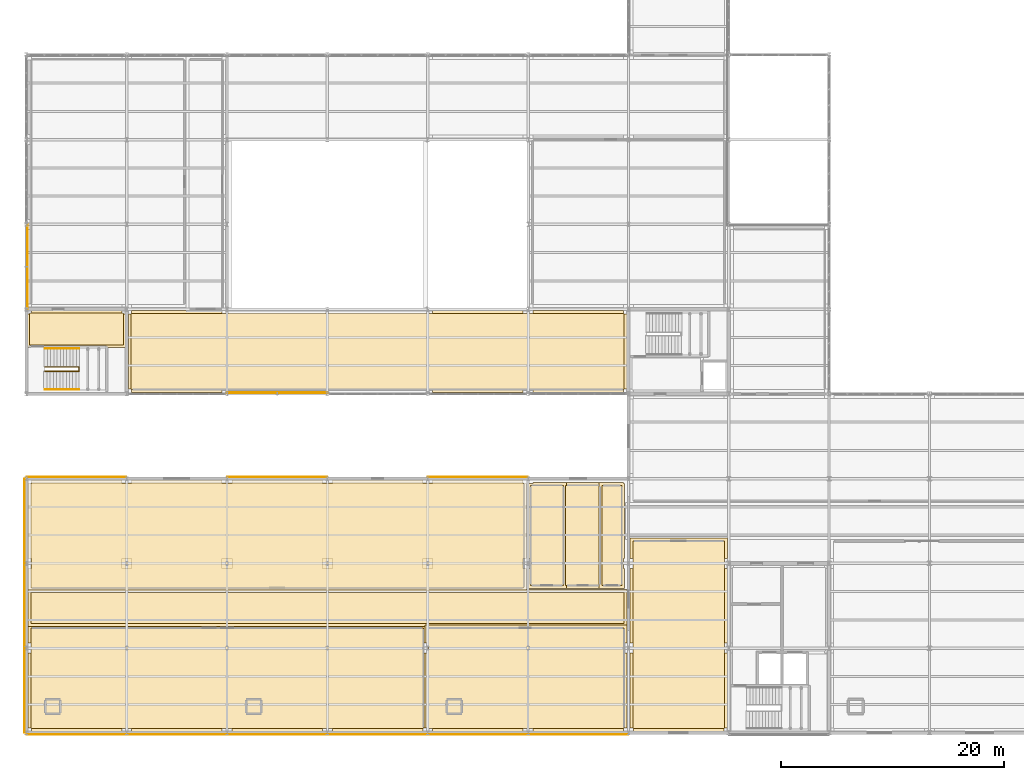
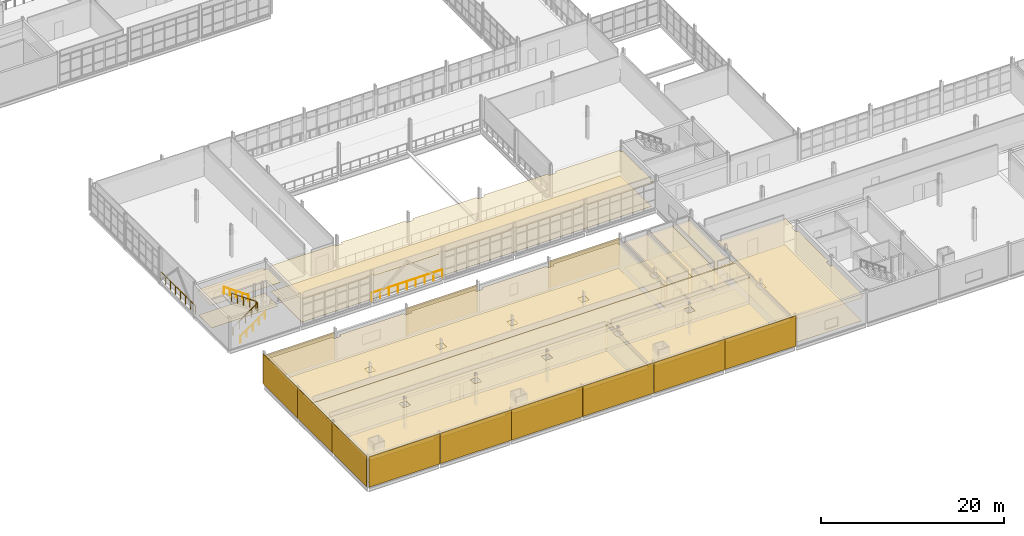
# One storey, part 165 of 174: 32 coverings, 5 railings.
"""IFC4 building model written with IfcOpenShell, lengths in metres."""

import ifcopenshell
import ifcopenshell.guid

model = None  # the IFC model being written
_history = None  # IfcOwnerHistory: only IFC2X3 demands one
_inside = {}  # id of a spatial element -> (the spatial element, [elements in it])
_under = {}  # id of a project, library or spatial element -> (it, [spatial elements below it])
_declared = {}  # id of a project -> (the project, [libraries it declares])
_typed = {}  # id of a type object -> (the type object, [elements of that type])
_made_of = {}  # id of a material, layer set ... -> (it, [elements and type objects made of it])


def new_model(schema):
    """Start an empty IFC model of exactly this schema.

    Asked for "IFC4X3", IfcOpenShell would pick the latest addendum, in which some entities
    have other attributes; the version numbers below select the first issue.
    IFC2X3 requires an IfcOwnerHistory on every rooted entity: one is made here for all.
    """
    global model, _history
    if schema == "IFC4X3":
        model = ifcopenshell.file(schema_version=(4, 3, 0, 0))
    else:
        model = ifcopenshell.file(schema=schema)
    _inside.clear()
    _under.clear()
    _declared.clear()
    _typed.clear()
    _made_of.clear()
    _history = None
    if model.schema == "IFC2X3":
        org = make("IfcOrganization", Name="unknown")
        user = make(
            "IfcPersonAndOrganization",
            ThePerson=make("IfcPerson", FamilyName="unknown"),
            TheOrganization=org,
        )
        app = make(
            "IfcApplication",
            ApplicationDeveloper=org,
            Version="unknown",
            ApplicationFullName="unknown",
            ApplicationIdentifier="unknown",
        )
        _history = make(
            "IfcOwnerHistory",
            OwningUser=user,
            OwningApplication=app,
            ChangeAction="ADDED",
            CreationDate=0,
        )
    return model


def make(cls, **values):
    """One entity of the class cls with the attributes given. An attribute that is None is left unset."""
    return model.create_entity(
        cls, **{name: value for name, value in values.items() if value is not None}
    )


def rooted(cls, **values):
    """An entity with a GlobalId (a new one), such as an element, a storey or a relation."""
    return make(cls, GlobalId=ifcopenshell.guid.new(), OwnerHistory=_history, **values)


def si_unit(unit_type, name, prefix=None):
    """IfcSIUnit, for example si_unit("LENGTHUNIT", "METRE", prefix="MILLI")."""
    return make("IfcSIUnit", UnitType=unit_type, Prefix=prefix, Name=name)


def assignment(units):
    """IfcUnitAssignment: the units of a project."""
    return None if units is None else make("IfcUnitAssignment", Units=units)


def point(xyz):
    """IfcCartesianPoint."""
    return None if xyz is None else make("IfcCartesianPoint", Coordinates=xyz)


def direction(xyz):
    """IfcDirection."""
    return None if xyz is None else make("IfcDirection", DirectionRatios=xyz)


def frame(location, z_axis=None, x_axis=None):
    """IfcAxis2Placement3D, a coordinate frame: its origin and axes. An axis left out is left unset."""
    return make(
        "IfcAxis2Placement3D",
        Location=point(location),
        Axis=direction(z_axis),
        RefDirection=direction(x_axis),
    )


def frame_2d(location, x_axis=None):
    """IfcAxis2Placement2D, a coordinate frame in the plane: its origin and x axis."""
    return make(
        "IfcAxis2Placement2D", Location=point(location), RefDirection=direction(x_axis)
    )


def origin():
    """The frame at (0, 0, 0) with its axes left unset."""
    return frame((0.0, 0.0, 0.0))


def origin_2d():
    """The frame at (0, 0) in the plane with its x axis left unset."""
    return frame_2d((0.0, 0.0))


def place(relative_to, where):
    """IfcLocalPlacement: puts the frame where relative to a parent placement (None: the world)."""
    return make(
        "IfcLocalPlacement", PlacementRelTo=relative_to, RelativePlacement=where
    )


def context(
    kind, dimensions, precision=None, world=None, true_north=None, identifier=None
):
    """IfcGeometricRepresentationContext, for example the 3D "Model" context."""
    return make(
        "IfcGeometricRepresentationContext",
        ContextIdentifier=identifier,
        ContextType=kind,
        CoordinateSpaceDimension=dimensions,
        Precision=precision,
        WorldCoordinateSystem=world,
        TrueNorth=true_north,
    )


def subcontext(parent, identifier, kind, view, scale=None):
    """IfcGeometricRepresentationSubContext, for example "Body" below "Model"."""
    return make(
        "IfcGeometricRepresentationSubContext",
        ContextIdentifier=identifier,
        ContextType=kind,
        ParentContext=parent,
        TargetScale=scale,
        TargetView=view,
    )


def project(units=None, contexts=None):
    """IfcProject with its units and contexts."""
    return rooted(
        "IfcProject",
        Name="project",
        RepresentationContexts=contexts,
        UnitsInContext=assignment(units),
    )


def spatial(cls, under=None, at=None, **own):
    """A site, building, storey or space (cls), placed at a placement, below another one or the project."""
    s = rooted(cls, ObjectPlacement=at, **own)
    if under is not None:
        _under.setdefault(under.id(), (under, []))[1].append(s)
    return s


def polyline(points):
    """IfcPolyline through the points."""
    return make("IfcPolyline", Points=[point(p) for p in points])


def profile(cls, at=None, kind="AREA", **sizes):
    """A parametric profile (cls). Its sizes go by their IFC names, for example OverallWidth=200.0."""
    return make(cls, ProfileType=kind, Position=at, **sizes)


def rectangle(**sizes):
    """IfcRectangleProfileDef."""
    return profile("IfcRectangleProfileDef", **sizes)


def circle(**sizes):
    """IfcCircleProfileDef."""
    return profile("IfcCircleProfileDef", **sizes)


def outline(outer, holes=None, kind="AREA"):
    """IfcArbitraryClosedProfileDef: a profile drawn as a closed curve; with holes, ...WithVoids."""
    if holes is None:
        return make("IfcArbitraryClosedProfileDef", ProfileType=kind, OuterCurve=outer)
    return make(
        "IfcArbitraryProfileDefWithVoids",
        ProfileType=kind,
        OuterCurve=outer,
        InnerCurves=holes,
    )


def extrude(swept, where, along, depth):
    """IfcExtrudedAreaSolid: the profile swept, set in the frame where, extruded along a direction by depth."""
    return make(
        "IfcExtrudedAreaSolid",
        SweptArea=swept,
        Position=where,
        ExtrudedDirection=direction(along),
        Depth=depth,
    )


def shape(context_of_items, identifier, shape_type, items):
    """IfcShapeRepresentation: the items that make up one representation, for example the "Body"."""
    return make(
        "IfcShapeRepresentation",
        ContextOfItems=context_of_items,
        RepresentationIdentifier=identifier,
        RepresentationType=shape_type,
        Items=items,
    )


def material(Name=None, Category=None):
    """IfcMaterial."""
    return make("IfcMaterial", Name=Name, Category=Category)


def layer(
    of_material, thickness, ventilated=None, Name=None, Category=None, Priority=None
):
    """IfcMaterialLayer: one layer of a wall or slab, of a material (None: an air gap)."""
    return make(
        "IfcMaterialLayer",
        Material=of_material,
        LayerThickness=thickness,
        IsVentilated=ventilated,
        Name=Name,
        Category=Category,
        Priority=Priority,
    )


def layer_set(layers, Name=None):
    """IfcMaterialLayerSet."""
    return make("IfcMaterialLayerSet", MaterialLayers=layers, LayerSetName=Name)


def made_of(thing, what):
    """Note that an element or type object is made of a material, layer set ...; save() writes the relation."""
    if what is not None:
        _made_of.setdefault(what.id(), (what, []))[1].append(thing)
    return thing


def type_object(cls, material=None, **own):
    """A type object (cls), such as IfcWallType, which elements share."""
    return made_of(rooted(cls, **own), material)


def element(
    cls,
    number,
    at=None,
    inside=None,
    cuts=None,
    type_object=None,
    material=None,
    context=None,
    identifier="Body",
    shape_type=None,
    held_by="IfcProductDefinitionShape",
    body=None,
    shapes=None,
    **own,
):
    """One element of the class cls, such as IfcWall. Its Tag is "e" and its number.

    at: its placement. inside: the storey or other place that contains it. cuts: it is an
    opening in that element (IfcRelVoidsElement). A single representation is given by context,
    identifier, shape_type and body (its items); several are given by shapes. held_by: the class
    of the entity that holds the representations. save() writes the other relations.
    """
    e = rooted(cls, Tag="e%d" % number, ObjectPlacement=at, **own)
    if body is not None:
        shapes = [shape(context, identifier, shape_type, body)]
    if shapes is not None:
        e.Representation = make(held_by, Representations=shapes)
    if inside is not None:
        _inside.setdefault(inside.id(), (inside, []))[1].append(e)
    if cuts is not None:
        rooted(
            "IfcRelVoidsElement", RelatingBuildingElement=cuts, RelatedOpeningElement=e
        )
    if type_object is not None:
        _typed.setdefault(type_object.id(), (type_object, []))[1].append(e)
    return made_of(e, material)


def aggregate(whole, parts):
    """IfcRelAggregates: a whole, such as a stair, and the parts it consists of."""
    return rooted("IfcRelAggregates", RelatingObject=whole, RelatedObjects=parts)


def save(model, path):
    """Write the relations noted so far, then the file.

    IfcRelAggregates (storeys below a building ...), IfcRelContainedInSpatialStructure (elements
    in a storey), IfcRelDefinesByType, IfcRelAssociatesMaterial and IfcRelDeclares: one each for
    every whole, place, type object, material and project.
    """
    for whole, parts in _under.values():
        aggregate(whole, parts)
    for where, things in _inside.values():
        rooted(
            "IfcRelContainedInSpatialStructure",
            RelatedElements=things,
            RelatingStructure=where,
        )
    for kind, things in _typed.values():
        rooted("IfcRelDefinesByType", RelatedObjects=things, RelatingType=kind)
    for what, things in _made_of.values():
        rooted("IfcRelAssociatesMaterial", RelatedObjects=things, RelatingMaterial=what)
    for by, libraries in _declared.values():
        rooted("IfcRelDeclares", RelatingContext=by, RelatedDefinitions=libraries)
    model.write(path)


model = new_model("IFC4")

# Units and contexts
model_context = context("Model", 3, precision=1e-05, world=origin(), true_north=direction((0.0, 1.0)))
body_context = subcontext(model_context, "Body", "Model", "MODEL_VIEW")
ifc_project = project(units=[si_unit("LENGTHUNIT", "METRE"), si_unit("AREAUNIT", "SQUARE_METRE"), si_unit("VOLUMEUNIT", "CUBIC_METRE"), si_unit("PLANEANGLEUNIT", "RADIAN"), si_unit("MASSUNIT", "GRAM", prefix="KILO")], contexts=[model_context])

# Site, building, storey
site_placement = place(None, origin())
site = spatial("IfcSite", under=ifc_project, at=site_placement, CompositionType="ELEMENT")
building_placement = place(site_placement, origin())
building = spatial("IfcBuilding", under=site, at=building_placement, Name="Caisbarro Railhouse Central Library", CompositionType="ELEMENT")
storey_placement = place(building_placement, frame((0.0, 0.0, 5.0400390625)))
storey = spatial("IfcBuildingStorey", under=building, at=storey_placement, Name="L01", CompositionType="ELEMENT", Elevation=5.0400390625)

# Coverings
ifc_material_1 = material(Name="Vertical ribbed zinc-aluminium metal panel", Category="aluminium")
ifc_layer_1 = layer(ifc_material_1, 0.0419921875, Name="Vertical ribbed zinc-aluminium metal panel")
ifc_layer_set_1 = layer_set([ifc_layer_1], Name="Vertical ribbed zinc-aluminium metal panel")
covering_type_1 = type_object("IfcCoveringType", Name="CLD-MTL01", PredefinedType="CLADDING", material=ifc_layer_set_1)
covering_1_placement = place(storey_placement, frame((4.5, -0.1650390625, 0.02978515625), z_axis=(0.0, 0.0, 1.0), x_axis=(1.0, 0.0, 0.0)))
element("IfcCovering", 1, at=covering_1_placement, inside=storey, type_object=covering_type_1, Name="MTL01 facade cladding L01-011", PredefinedType="CLADDING", context=body_context, shape_type="SweptSolid", body=[
    extrude(rectangle(XDim=8.9599609375, YDim=0.0419921875, at=origin_2d()), origin(), (0.0, 0.0, 1.0), 4.050048828125),
])
covering_2_placement = place(storey_placement, frame((4.5, 22.945068359375, 0.02978515625), z_axis=(0.0, 0.0, 1.0), x_axis=(1.0, 0.0, 0.0)))
element("IfcCovering", 2, at=covering_2_placement, inside=storey, type_object=covering_type_1, Name="MTL01 facade cladding L01-012", PredefinedType="CLADDING", context=body_context, shape_type="SweptSolid", body=[
    extrude(rectangle(XDim=8.9599609375, YDim=0.0419921875, at=origin_2d()), origin(), (0.0, 0.0, 1.0), 3.611083984375),
])
for number, where, z_axis, x_axis, name in (
    (3, (13.5, -0.1650390625, 0.02978515625), (0.0, 0.0, 1.0), (1.0, 0.0, 0.0), "MTL01 facade cladding L01-013"),
    (4, (22.5, -0.1650390625, 0.02978515625), (0.0, 0.0, 1.0), (1.0, 0.0, 0.0), "MTL01 facade cladding L01-014"),
):
    element("IfcCovering", number, at=place(storey_placement, frame(where, z_axis=z_axis, x_axis=x_axis)), inside=storey, type_object=covering_type_1, Name=name, PredefinedType="CLADDING", context=body_context, shape_type="SweptSolid", body=[
        extrude(rectangle(XDim=8.9599609375, YDim=0.0419921875, at=origin_2d()), origin(), (0.0, 0.0, 1.0), 4.050048828125),
    ])
covering_3_placement = place(storey_placement, frame((22.5, 22.945068359375, 0.02978515625), z_axis=(0.0, 0.0, 1.0), x_axis=(1.0, 0.0, 0.0)))
element("IfcCovering", 5, at=covering_3_placement, inside=storey, type_object=covering_type_1, Name="MTL01 facade cladding L01-015", PredefinedType="CLADDING", context=body_context, shape_type="SweptSolid", body=[
    extrude(rectangle(XDim=8.9599609375, YDim=0.0419921875, at=origin_2d()), origin(), (0.0, 0.0, 1.0), 3.611083984375),
])
for number, where, z_axis, x_axis, name in (
    (6, (31.5, -0.1650390625, 0.02978515625), (0.0, 0.0, 1.0), (1.0, 0.0, 0.0), "MTL01 facade cladding L01-016"),
    (7, (40.5, -0.1650390625, 0.02978515625), (0.0, 0.0, 1.0), (1.0, 0.0, 0.0), "MTL01 facade cladding L01-017"),
):
    element("IfcCovering", number, at=place(storey_placement, frame(where, z_axis=z_axis, x_axis=x_axis)), inside=storey, type_object=covering_type_1, Name=name, PredefinedType="CLADDING", context=body_context, shape_type="SweptSolid", body=[
        extrude(rectangle(XDim=8.9599609375, YDim=0.0419921875, at=origin_2d()), origin(), (0.0, 0.0, 1.0), 4.050048828125),
    ])
covering_4_placement = place(storey_placement, frame((40.5, 22.945068359375, 0.030029296875), z_axis=(0.0, 0.0, 1.0), x_axis=(1.0, 0.0, 0.0)))
element("IfcCovering", 8, at=covering_4_placement, inside=storey, type_object=covering_type_1, Name="MTL01 facade cladding L01-018", PredefinedType="CLADDING", context=body_context, shape_type="SweptSolid", body=[
    extrude(rectangle(XDim=8.9599609375, YDim=0.0419921875, at=origin_2d()), origin(), (0.0, 0.0, 1.0), 3.5810546875),
])
covering_5_placement = place(storey_placement, frame((49.5, -0.1650390625, 0.02978515625), z_axis=(0.0, 0.0, 1.0), x_axis=(1.0, 0.0, 0.0)))
element("IfcCovering", 9, at=covering_5_placement, inside=storey, type_object=covering_type_1, Name="MTL01 facade cladding L01-019", PredefinedType="CLADDING", context=body_context, shape_type="SweptSolid", body=[
    extrude(rectangle(XDim=8.9599609375, YDim=0.0419921875, at=origin_2d()), origin(), (0.0, 0.0, 1.0), 4.050048828125),
])
for number, where, z_axis, x_axis, name in (
    (10, (-0.155029296875, 3.800048828125, 0.02978515625), (0.0, 0.0, 1.0), (0.0, 1.0, 0.0), "MTL01 facade cladding L01-020"),
    (11, (-0.155029296875, 11.39990234375, 0.02978515625), (0.0, 0.0, 1.0), (0.0, 1.0, 0.0), "MTL01 facade cladding L01-021"),
    (12, (-0.155029296875, 19.0, 0.02978515625), (0.0, 0.0, 1.0), (0.0, 1.0, 0.0), "MTL01 facade cladding L01-022"),
):
    element("IfcCovering", number, at=place(storey_placement, frame(where, z_axis=z_axis, x_axis=x_axis)), inside=storey, type_object=covering_type_1, Name=name, PredefinedType="CLADDING", context=body_context, shape_type="SweptSolid", body=[
        extrude(rectangle(XDim=7.56005859375, YDim=0.0419921875, at=origin_2d()), origin(), (0.0, 0.0, 1.0), 4.050048828125),
    ])
ifc_material_2 = material(Name="Perforated mineral-fibre acoustic ceiling tile")
ifc_layer_2 = layer(ifc_material_2, 0.01806640625, Name="Perforated mineral-fibre acoustic ceiling tile")
ifc_layer_set_2 = layer_set([ifc_layer_2], Name="Perforated mineral-fibre acoustic ceiling tile")
covering_type_2 = type_object("IfcCoveringType", Name="COV-CL01", PredefinedType="CEILING", material=ifc_layer_set_2)
covering_6_placement = place(storey_placement, frame((0.0, 0.0, 3.25)))
element("IfcCovering", 13, at=covering_6_placement, inside=storey, type_object=covering_type_2, Name="CL01 acoustic ceiling Stair Lobby K6", PredefinedType="CEILING", context=body_context, shape_type="SweptSolid", body=[
    extrude(outline(polyline([(0.43994140625, 37.56005859375), (0.43994140625, 37.909912109375), (8.56005859375, 37.909912109375), (8.56005859375, 37.56005859375), (8.9599609375, 37.56005859375), (8.9599609375, 34.5400390625), (0.0400390625, 34.5400390625), (0.0400390625, 37.56005859375), (0.43994140625, 37.56005859375)])), origin(), (0.0, 0.0, 1.0), 0.01806640625),
])
covering_7_placement = place(storey_placement, frame((0.0, 0.0, 3.25)))
element("IfcCovering", 14, at=covering_7_placement, inside=storey, type_object=covering_type_2, Name="CL01 acoustic ceiling Open Humanities Stacks West", PredefinedType="CEILING", context=body_context, shape_type="SweptSolid", body=[
    extrude(outline(polyline([(0.139892578125, 0.43994140625), (0.139892578125, 7.159912109375), (0.43994140625, 7.159912109375), (0.43994140625, 8.0400390625), (0.139892578125, 8.0400390625), (0.139892578125, 9.659912109375), (35.860107421875, 9.659912109375), (35.860107421875, 8.0400390625), (35.56005859375, 8.0400390625), (35.56005859375, 7.159912109375), (35.860107421875, 7.159912109375), (35.860107421875, 0.43994140625), (35.56005859375, 0.43994140625), (35.56005859375, 0.139892578125), (27.43994140625, 0.139892578125), (27.43994140625, 0.43994140625), (26.56005859375, 0.43994140625), (26.56005859375, 0.139892578125), (18.43994140625, 0.139892578125), (18.43994140625, 0.43994140625), (17.56005859375, 0.43994140625), (17.56005859375, 0.139892578125), (9.43994140625, 0.139892578125), (9.43994140625, 0.43994140625), (8.56005859375, 0.43994140625), (8.56005859375, 0.139892578125), (0.43994140625, 0.139892578125), (0.43994140625, 0.43994140625), (0.139892578125, 0.43994140625)]), holes=[polyline([(8.56005859375, 7.159912109375), (9.43994140625, 7.159912109375), (9.43994140625, 8.0400390625), (8.56005859375, 8.0400390625), (8.56005859375, 7.159912109375)]), polyline([(18.43994140625, 8.0400390625), (17.56005859375, 8.0400390625), (17.56005859375, 7.159912109375), (18.43994140625, 7.159912109375), (18.43994140625, 8.0400390625)]), polyline([(26.56005859375, 7.159912109375), (27.43994140625, 7.159912109375), (27.43994140625, 8.0400390625), (26.56005859375, 8.0400390625), (26.56005859375, 7.159912109375)])]), origin(), (0.0, 0.0, 1.0), 0.01806640625),
])
covering_8_placement = place(storey_placement, frame((0.0, 0.0, 3.25)))
element("IfcCovering", 15, at=covering_8_placement, inside=storey, type_object=covering_type_2, Name="CL01 acoustic ceiling Cataloguing and Metadata Studio", PredefinedType="CEILING", context=body_context, shape_type="SweptSolid", body=[
    extrude(outline(polyline([(44.56005859375, 0.43994140625), (44.56005859375, 0.139892578125), (36.43994140625, 0.139892578125), (36.43994140625, 0.43994140625), (35.739990234375, 0.43994140625), (35.739990234375, 7.159912109375), (36.43994140625, 7.159912109375), (36.43994140625, 8.0400390625), (35.739990234375, 8.0400390625), (35.739990234375, 9.659912109375), (53.860107421875, 9.659912109375), (53.860107421875, 8.0400390625), (53.56005859375, 8.0400390625), (53.56005859375, 7.159912109375), (53.860107421875, 7.159912109375), (53.860107421875, 0.43994140625), (53.56005859375, 0.43994140625), (53.56005859375, 0.139892578125), (45.43994140625, 0.139892578125), (45.43994140625, 0.43994140625), (44.56005859375, 0.43994140625)]), holes=[polyline([(44.56005859375, 7.159912109375), (45.43994140625, 7.159912109375), (45.43994140625, 8.0400390625), (44.56005859375, 8.0400390625), (44.56005859375, 7.159912109375)])]), origin(), (0.0, 0.0, 1.0), 0.01806640625),
])
covering_9_placement = place(storey_placement, frame((0.0, 0.0, 3.25)))
element("IfcCovering", 16, at=covering_9_placement, inside=storey, type_object=covering_type_2, Name="CL01 acoustic ceiling Stacks Corridor L01 West", PredefinedType="CEILING", context=body_context, shape_type="SweptSolid", body=[
    extrude(outline(polyline([(0.139892578125, 9.5400390625), (0.139892578125, 12.860107421875), (53.860107421875, 12.860107421875), (53.860107421875, 9.5400390625), (0.139892578125, 9.5400390625)])), origin(), (0.0, 0.0, 1.0), 0.01806640625),
])
covering_10_placement = place(storey_placement, frame((0.0, 0.0, 3.25)))
element("IfcCovering", 17, at=covering_10_placement, inside=storey, type_object=covering_type_2, Name="CL01 acoustic ceiling Open Literature Stacks", PredefinedType="CEILING", context=body_context, shape_type="SweptSolid", body=[
    extrude(outline(polyline([(17.56005859375, 22.659912109375), (17.56005859375, 22.360107421875), (18.43994140625, 22.360107421875), (18.43994140625, 22.659912109375), (26.56005859375, 22.659912109375), (26.56005859375, 22.360107421875), (27.43994140625, 22.360107421875), (27.43994140625, 22.659912109375), (35.56005859375, 22.659912109375), (35.56005859375, 22.360107421875), (36.43994140625, 22.360107421875), (36.43994140625, 22.659912109375), (44.56005859375, 22.659912109375), (44.56005859375, 22.360107421875), (44.860107421875, 22.360107421875), (44.860107421875, 15.639892578125), (44.56005859375, 15.639892578125), (44.56005859375, 14.760009765625), (44.860107421875, 14.760009765625), (44.860107421875, 12.739990234375), (0.139892578125, 12.739990234375), (0.139892578125, 14.760009765625), (0.43994140625, 14.760009765625), (0.43994140625, 15.639892578125), (0.139892578125, 15.639892578125), (0.139892578125, 22.360107421875), (0.43994140625, 22.360107421875), (0.43994140625, 22.659912109375), (8.56005859375, 22.659912109375), (8.56005859375, 22.360107421875), (9.43994140625, 22.360107421875), (9.43994140625, 22.659912109375), (17.56005859375, 22.659912109375)]), holes=[polyline([(8.56005859375, 15.639892578125), (8.56005859375, 14.760009765625), (9.43994140625, 14.760009765625), (9.43994140625, 15.639892578125), (8.56005859375, 15.639892578125)]), polyline([(18.43994140625, 14.760009765625), (18.43994140625, 15.639892578125), (17.56005859375, 15.639892578125), (17.56005859375, 14.760009765625), (18.43994140625, 14.760009765625)]), polyline([(26.56005859375, 15.639892578125), (26.56005859375, 14.760009765625), (27.43994140625, 14.760009765625), (27.43994140625, 15.639892578125), (26.56005859375, 15.639892578125)]), polyline([(36.43994140625, 14.760009765625), (36.43994140625, 15.639892578125), (35.56005859375, 15.639892578125), (35.56005859375, 14.760009765625), (36.43994140625, 14.760009765625)])]), origin(), (0.0, 0.0, 1.0), 0.01806640625),
])
covering_11_placement = place(storey_placement, frame((0.0, 0.0, 3.25)))
element("IfcCovering", 18, at=covering_11_placement, inside=storey, type_object=covering_type_2, Name="CL01 acoustic ceiling Male WC L01-W", PredefinedType="CEILING", context=body_context, shape_type="SweptSolid", body=[
    extrude(outline(polyline([(45.43994140625, 14.760009765625), (45.43994140625, 15.639892578125), (44.93994140625, 15.639892578125), (44.93994140625, 22.360107421875), (45.43994140625, 22.360107421875), (45.43994140625, 22.4599609375), (48.427978515625, 22.4599609375), (48.427978515625, 12.93994140625), (44.93994140625, 12.93994140625), (44.93994140625, 14.760009765625), (45.43994140625, 14.760009765625)])), origin(), (0.0, 0.0, 1.0), 0.01806640625),
])
covering_12_placement = place(storey_placement, frame((0.0, 0.0, 3.25)))
element("IfcCovering", 19, at=covering_12_placement, inside=storey, type_object=covering_type_2, Name="CL01 acoustic ceiling Female WC L01-W", PredefinedType="CEILING", context=body_context, shape_type="SweptSolid", body=[
    extrude(outline(polyline([(48.10791015625, 12.93994140625), (48.10791015625, 22.4599609375), (51.696044921875, 22.4599609375), (51.696044921875, 12.93994140625), (48.10791015625, 12.93994140625)])), origin(), (0.0, 0.0, 1.0), 0.01806640625),
])
covering_13_placement = place(storey_placement, frame((0.0, 0.0, 3.25)))
element("IfcCovering", 20, at=covering_13_placement, inside=storey, type_object=covering_type_2, Name="CL01 acoustic ceiling Accessible WC L01-W", PredefinedType="CEILING", context=body_context, shape_type="SweptSolid", body=[
    extrude(outline(polyline([(53.56005859375, 22.4599609375), (53.56005859375, 22.360107421875), (53.659912109375, 22.360107421875), (53.659912109375, 15.639892578125), (53.56005859375, 15.639892578125), (53.56005859375, 14.760009765625), (53.659912109375, 14.760009765625), (53.659912109375, 12.93994140625), (51.3759765625, 12.93994140625), (51.3759765625, 22.4599609375), (53.56005859375, 22.4599609375)])), origin(), (0.0, 0.0, 1.0), 0.01806640625),
])
covering_14_placement = place(storey_placement, frame((0.0, 0.0, 3.25)))
element("IfcCovering", 21, at=covering_14_placement, inside=storey, type_object=covering_type_2, Name="CL01 acoustic ceiling Staff Lounge and Training Room", PredefinedType="CEILING", context=body_context, shape_type="SweptSolid", body=[
    extrude(outline(polyline([(54.139892578125, 0.43994140625), (54.139892578125, 7.159912109375), (54.43994140625, 7.159912109375), (54.43994140625, 8.0400390625), (54.139892578125, 8.0400390625), (54.139892578125, 14.760009765625), (54.43994140625, 14.760009765625), (54.43994140625, 15.639892578125), (54.139892578125, 15.639892578125), (54.139892578125, 17.4599609375), (62.860107421875, 17.4599609375), (62.860107421875, 15.639892578125), (62.56005859375, 15.639892578125), (62.56005859375, 14.760009765625), (62.860107421875, 14.760009765625), (62.860107421875, 8.0400390625), (62.56005859375, 8.0400390625), (62.56005859375, 7.159912109375), (62.860107421875, 7.159912109375), (62.860107421875, 0.43994140625), (62.56005859375, 0.43994140625), (62.56005859375, 0.139892578125), (54.43994140625, 0.139892578125), (54.43994140625, 0.43994140625), (54.139892578125, 0.43994140625)])), origin(), (0.0, 0.0, 1.0), 0.01806640625),
])
covering_15_placement = place(storey_placement, frame((0.0, 0.0, 3.25)))
element("IfcCovering", 22, at=covering_15_placement, inside=storey, type_object=covering_type_2, Name="CL01 acoustic ceiling South Mezzanine Study Corridor", PredefinedType="CEILING", context=body_context, shape_type="SweptSolid", body=[
    extrude(outline(polyline([(9.43994140625, 37.56005859375), (9.43994140625, 37.860107421875), (17.56005859375, 37.860107421875), (17.56005859375, 37.56005859375), (18.43994140625, 37.56005859375), (18.43994140625, 37.860107421875), (26.56005859375, 37.860107421875), (26.56005859375, 37.56005859375), (27.43994140625, 37.56005859375), (27.43994140625, 37.860107421875), (35.56005859375, 37.860107421875), (35.56005859375, 37.56005859375), (36.43994140625, 37.56005859375), (36.43994140625, 37.860107421875), (44.56005859375, 37.860107421875), (44.56005859375, 37.56005859375), (45.43994140625, 37.56005859375), (45.43994140625, 37.860107421875), (53.56005859375, 37.860107421875), (53.56005859375, 37.56005859375), (53.860107421875, 37.56005859375), (53.860107421875, 30.840087890625), (53.56005859375, 30.840087890625), (53.56005859375, 30.5400390625), (45.43994140625, 30.5400390625), (45.43994140625, 30.840087890625), (44.56005859375, 30.840087890625), (44.56005859375, 30.5400390625), (36.43994140625, 30.5400390625), (36.43994140625, 30.840087890625), (35.56005859375, 30.840087890625), (35.56005859375, 30.5400390625), (27.43994140625, 30.5400390625), (27.43994140625, 30.840087890625), (26.56005859375, 30.840087890625), (26.56005859375, 30.5400390625), (18.43994140625, 30.5400390625), (18.43994140625, 30.840087890625), (17.56005859375, 30.840087890625), (17.56005859375, 30.5400390625), (9.43994140625, 30.5400390625), (9.43994140625, 30.840087890625), (9.139892578125, 30.840087890625), (9.139892578125, 37.56005859375), (9.43994140625, 37.56005859375)])), origin(), (0.0, 0.0, 1.0), 0.01806640625),
])
ifc_material_3 = material(Name="Polished cementitious terrazzo flooring")
ifc_layer_3 = layer(ifc_material_3, 0.02197265625, Name="Polished cementitious terrazzo flooring")
ifc_layer_set_3 = layer_set([ifc_layer_3], Name="Polished cementitious terrazzo flooring")
covering_type_3 = type_object("IfcCoveringType", Name="COV-FL01", PredefinedType="FLOORING", material=ifc_layer_set_3)
covering_16_placement = place(storey_placement, origin())
element("IfcCovering", 23, at=covering_16_placement, inside=storey, type_object=covering_type_3, Name="FL01 flooring Stair Lobby K6", PredefinedType="FLOORING", context=body_context, shape_type="SweptSolid", body=[
    extrude(outline(polyline([(0.300048828125, 34.800048828125), (8.699951171875, 34.800048828125), (8.699951171875, 37.64990234375), (0.300048828125, 37.64990234375), (0.300048828125, 34.800048828125)])), origin(), (0.0, 0.0, 1.0), 0.02197265625),
])
covering_17_placement = place(storey_placement, origin())
element("IfcCovering", 24, at=covering_17_placement, inside=storey, type_object=covering_type_3, Name="FL01 flooring Stacks Corridor L01 West", PredefinedType="FLOORING", context=body_context, shape_type="SweptSolid", body=[
    extrude(outline(polyline([(0.39990234375, 9.800048828125), (53.60009765625, 9.800048828125), (53.60009765625, 12.60009765625), (0.39990234375, 12.60009765625), (0.39990234375, 9.800048828125)])), origin(), (0.0, 0.0, 1.0), 0.02197265625),
])
covering_18_placement = place(storey_placement, origin())
element("IfcCovering", 25, at=covering_18_placement, inside=storey, type_object=covering_type_3, Name="FL01 flooring South Mezzanine Study Corridor", PredefinedType="FLOORING", context=body_context, shape_type="SweptSolid", body=[
    extrude(outline(polyline([(9.39990234375, 30.800048828125), (53.60009765625, 30.800048828125), (53.60009765625, 37.60009765625), (9.39990234375, 37.60009765625), (9.39990234375, 30.800048828125)])), origin(), (0.0, 0.0, 1.0), 0.02197265625),
])
ifc_material_4 = material(Name="Heavy-duty acoustic linoleum flooring")
ifc_layer_4 = layer(ifc_material_4, 0.011962890625, Name="Heavy-duty acoustic linoleum flooring")
ifc_layer_set_4 = layer_set([ifc_layer_4], Name="Heavy-duty acoustic linoleum flooring")
covering_type_4 = type_object("IfcCoveringType", Name="COV-FL02", PredefinedType="FLOORING", material=ifc_layer_set_4)
covering_19_placement = place(storey_placement, origin())
element("IfcCovering", 26, at=covering_19_placement, inside=storey, type_object=covering_type_4, Name="FL02 flooring Open Humanities Stacks West", PredefinedType="FLOORING", context=body_context, shape_type="SweptSolid", body=[
    extrude(outline(polyline([(0.39990234375, 0.39990234375), (35.60009765625, 0.39990234375), (35.60009765625, 9.39990234375), (0.39990234375, 9.39990234375), (0.39990234375, 0.39990234375)])), origin(), (0.0, 0.0, 1.0), 0.011962890625),
])
covering_20_placement = place(storey_placement, origin())
element("IfcCovering", 27, at=covering_20_placement, inside=storey, type_object=covering_type_4, Name="FL02 flooring Cataloguing and Metadata Studio", PredefinedType="FLOORING", context=body_context, shape_type="SweptSolid", body=[
    extrude(outline(polyline([(36.0, 0.39990234375), (53.60009765625, 0.39990234375), (53.60009765625, 9.39990234375), (36.0, 9.39990234375), (36.0, 0.39990234375)])), origin(), (0.0, 0.0, 1.0), 0.011962890625),
])
covering_21_placement = place(storey_placement, origin())
element("IfcCovering", 28, at=covering_21_placement, inside=storey, type_object=covering_type_4, Name="FL02 flooring Open Literature Stacks", PredefinedType="FLOORING", context=body_context, shape_type="SweptSolid", body=[
    extrude(outline(polyline([(0.39990234375, 13.0), (44.60009765625, 13.0), (44.60009765625, 22.39990234375), (0.39990234375, 22.39990234375), (0.39990234375, 13.0)])), origin(), (0.0, 0.0, 1.0), 0.011962890625),
])
covering_22_placement = place(storey_placement, origin())
element("IfcCovering", 29, at=covering_22_placement, inside=storey, type_object=covering_type_4, Name="FL02 flooring Male WC L01-W", PredefinedType="FLOORING", context=body_context, shape_type="SweptSolid", body=[
    extrude(outline(polyline([(45.199951171875, 13.199951171875), (48.16796875, 13.199951171875), (48.16796875, 22.199951171875), (45.199951171875, 22.199951171875), (45.199951171875, 13.199951171875)])), origin(), (0.0, 0.0, 1.0), 0.011962890625),
])
covering_23_placement = place(storey_placement, origin())
element("IfcCovering", 30, at=covering_23_placement, inside=storey, type_object=covering_type_4, Name="FL02 flooring Female WC L01-W", PredefinedType="FLOORING", context=body_context, shape_type="SweptSolid", body=[
    extrude(outline(polyline([(48.367919921875, 13.199951171875), (51.43603515625, 13.199951171875), (51.43603515625, 22.199951171875), (48.367919921875, 22.199951171875), (48.367919921875, 13.199951171875)])), origin(), (0.0, 0.0, 1.0), 0.011962890625),
])
covering_24_placement = place(storey_placement, origin())
element("IfcCovering", 31, at=covering_24_placement, inside=storey, type_object=covering_type_4, Name="FL02 flooring Accessible WC L01-W", PredefinedType="FLOORING", context=body_context, shape_type="SweptSolid", body=[
    extrude(outline(polyline([(51.635986328125, 13.199951171875), (53.39990234375, 13.199951171875), (53.39990234375, 22.199951171875), (51.635986328125, 22.199951171875), (51.635986328125, 13.199951171875)])), origin(), (0.0, 0.0, 1.0), 0.011962890625),
])
covering_25_placement = place(storey_placement, origin())
element("IfcCovering", 32, at=covering_25_placement, inside=storey, type_object=covering_type_4, Name="FL02 flooring Staff Lounge and Training Room", PredefinedType="FLOORING", context=body_context, shape_type="SweptSolid", body=[
    extrude(outline(polyline([(54.39990234375, 0.39990234375), (62.60009765625, 0.39990234375), (62.60009765625, 17.199951171875), (54.39990234375, 17.199951171875), (54.39990234375, 0.39990234375)])), origin(), (0.0, 0.0, 1.0), 0.011962890625),
])

# Railings
ifc_material_5 = material(Name="Laminated safety glass balustrade with stainless top rail", Category="glass")
railing_type_1 = type_object("IfcRailingType", Name="RLG-ATR112", PredefinedType="GUARDRAIL", material=ifc_material_5)
railing_1_placement = place(storey_placement, frame((18.0, 30.5, 0.0)))
element("IfcRailing", 33, at=railing_1_placement, inside=storey, type_object=railing_type_1, Name="RG02 Interior Void Balustrade L01-24", PredefinedType="GUARDRAIL", context=body_context, shape_type="SweptSolid", body=[
    extrude(circle(Radius=0.02392578125, at=origin_2d()), frame((0.0, 0.0, 1.09619140625), z_axis=(1.0, 0.0, 0.0), x_axis=(0.0, 1.0, 0.0)), (0.0, 0.0, 1.0), 9.0),
    extrude(circle(Radius=0.02099609375, at=origin_2d()), origin(), (0.0, 0.0, 1.0), 1.072021484375),
    extrude(circle(Radius=0.02099609375, at=origin_2d()), frame((1.125, 0.0, 0.0)), (0.0, 0.0, 1.0), 1.072021484375),
    extrude(circle(Radius=0.02099609375, at=origin_2d()), frame((2.25, 0.0, 0.0)), (0.0, 0.0, 1.0), 1.072021484375),
    extrude(circle(Radius=0.02099609375, at=origin_2d()), frame((3.375, 0.0, 0.0)), (0.0, 0.0, 1.0), 1.072021484375),
    extrude(circle(Radius=0.02099609375, at=origin_2d()), frame((4.5, 0.0, 0.0)), (0.0, 0.0, 1.0), 1.072021484375),
    extrude(circle(Radius=0.02099609375, at=origin_2d()), frame((5.625, 0.0, 0.0)), (0.0, 0.0, 1.0), 1.072021484375),
    extrude(circle(Radius=0.02099609375, at=origin_2d()), frame((6.75, 0.0, 0.0)), (0.0, 0.0, 1.0), 1.072021484375),
    extrude(circle(Radius=0.02099609375, at=origin_2d()), frame((7.875, 0.0, 0.0)), (0.0, 0.0, 1.0), 1.072021484375),
    extrude(circle(Radius=0.02099609375, at=origin_2d()), frame((9.0, 0.0, 0.0)), (0.0, 0.0, 1.0), 1.072021484375),
])
railing_2_placement = place(storey_placement, frame((0.10009765625, 38.0, 0.0)))
element("IfcRailing", 34, at=railing_2_placement, inside=storey, type_object=railing_type_1, Name="RG02 Interior Void Balustrade L01-29", PredefinedType="GUARDRAIL", context=body_context, shape_type="SweptSolid", body=[
    extrude(circle(Radius=0.02392578125, at=origin_2d()), frame((0.0, 0.0, 1.09619140625), z_axis=(0.0, 1.0, 0.0), x_axis=(-1.0, 0.0, 0.0)), (0.0, 0.0, 1.0), 7.60009765625),
    extrude(circle(Radius=0.02099609375, at=origin_2d()), origin(), (0.0, 0.0, 1.0), 1.072021484375),
    extrude(circle(Radius=0.02099609375, at=origin_2d()), frame((0.0, 1.085693359375, 0.0)), (0.0, 0.0, 1.0), 1.072021484375),
    extrude(circle(Radius=0.02099609375, at=origin_2d()), frame((0.0, 2.17138671875, 0.0)), (0.0, 0.0, 1.0), 1.072021484375),
    extrude(circle(Radius=0.02099609375, at=origin_2d()), frame((0.0, 3.257080078125, 0.0)), (0.0, 0.0, 1.0), 1.072021484375),
    extrude(circle(Radius=0.02099609375, at=origin_2d()), frame((0.0, 4.343017578125, 0.0)), (0.0, 0.0, 1.0), 1.072021484375),
    extrude(circle(Radius=0.02099609375, at=origin_2d()), frame((0.0, 5.4287109375, 0.0)), (0.0, 0.0, 1.0), 1.072021484375),
    extrude(circle(Radius=0.02099609375, at=origin_2d()), frame((0.0, 6.514404296875, 0.0)), (0.0, 0.0, 1.0), 1.072021484375),
    extrude(circle(Radius=0.02099609375, at=origin_2d()), frame((0.0, 7.60009765625, 0.0)), (0.0, 0.0, 1.0), 1.072021484375),
])
ifc_material_6 = material(Name="Brushed stainless steel Grade 316", Category="steel")
railing_type_2 = type_object("IfcRailingType", Name="RLG-STR092", PredefinedType="HANDRAIL", material=ifc_material_6)
railing_3_placement = place(storey_placement, frame((1.64990234375, 30.7900390625, 0.0)))
element("IfcRailing", 35, at=railing_3_placement, inside=storey, type_object=railing_type_2, Name="Stair ST-06 Outer Handrail F1 L01", PredefinedType="HANDRAIL", context=body_context, shape_type="SweptSolid", body=[
    extrude(circle(Radius=0.02392578125, at=origin_2d()), frame((0.0, 0.0, 0.89599609375), z_axis=(0.819624179701, 0.0, 0.572901565759), x_axis=(0.0, 1.0, 0.0)), (0.0, 0.0, 1.0), 3.77001953125),
    extrude(circle(Radius=0.02099609375, at=origin_2d()), origin(), (0.0, 0.0, 1.0), 0.871826171875),
    extrude(circle(Radius=0.02099609375, at=origin_2d()), frame((0.7724609375, 0.0, 0.5400390625)), (0.0, 0.0, 1.0), 0.871826171875),
    extrude(circle(Radius=0.02099609375, at=origin_2d()), frame((1.544921875, 0.0, 1.080078125)), (0.0, 0.0, 1.0), 0.871826171875),
    extrude(circle(Radius=0.02099609375, at=origin_2d()), frame((2.317626953125, 0.0, 1.619873046875)), (0.0, 0.0, 1.0), 0.871826171875),
    extrude(circle(Radius=0.02099609375, at=origin_2d()), frame((3.090087890625, 0.0, 2.159912109375)), (0.0, 0.0, 1.0), 0.871826171875),
])
railing_4_placement = place(storey_placement, frame((4.739990234375, 34.4599609375, 2.159912109375)))
element("IfcRailing", 36, at=railing_4_placement, inside=storey, type_object=railing_type_2, Name="Stair ST-06 Outer Handrail F2 L01", PredefinedType="HANDRAIL", context=body_context, shape_type="SweptSolid", body=[
    extrude(circle(Radius=0.02392578125, at=origin_2d()), frame((0.0, 0.0, 0.89599609375), z_axis=(-0.819593772312, 0.0, 0.572945065767), x_axis=(0.0, -1.0, 0.0)), (0.0, 0.0, 1.0), 3.770263671875),
    extrude(circle(Radius=0.02099609375, at=origin_2d()), origin(), (0.0, 0.0, 1.0), 0.871826171875),
    extrude(circle(Radius=0.02099609375, at=origin_2d()), frame((-0.7724609375, 0.0, 0.5400390625)), (0.0, 0.0, 1.0), 0.871826171875),
    extrude(circle(Radius=0.02099609375, at=origin_2d()), frame((-1.544921875, 0.0, 1.080078125)), (0.0, 0.0, 1.0), 0.871826171875),
    extrude(circle(Radius=0.02099609375, at=origin_2d()), frame((-2.317626953125, 0.0, 1.6201171875)), (0.0, 0.0, 1.0), 0.871826171875),
    extrude(circle(Radius=0.02099609375, at=origin_2d()), frame((-3.090087890625, 0.0, 2.16015625)), (0.0, 0.0, 1.0), 0.871826171875),
])
railing_type_3 = type_object("IfcRailingType", Name="RLG-STR110", PredefinedType="GUARDRAIL", material=ifc_material_6)
railing_5_placement = place(storey_placement, frame((1.64990234375, 32.429931640625, 0.0)))
element("IfcRailing", 37, at=railing_5_placement, inside=storey, type_object=railing_type_3, Name="Stair ST-06 Inner Well Guardrail L01", PredefinedType="GUARDRAIL", context=body_context, shape_type="SweptSolid", body=[
    extrude(circle(Radius=0.02392578125, at=origin_2d()), frame((0.0, 0.0, 1.076171875), z_axis=(0.819624179701, 0.0, 0.572901565759), x_axis=(0.0, 1.0, 0.0)), (0.0, 0.0, 1.0), 3.77001953125),
    extrude(circle(Radius=0.02392578125, at=origin_2d()), frame((3.090087890625, 0.0, 3.23583984375), z_axis=(0.0, 1.0, 0.0), x_axis=(-1.0, 0.0, 0.0)), (0.0, 0.0, 1.0), 0.39013671875),
    extrude(circle(Radius=0.02392578125, at=origin_2d()), frame((3.090087890625, 0.39013671875, 3.23583984375), z_axis=(-0.819593772312, 0.0, 0.572945065767), x_axis=(0.0, -1.0, 0.0)), (0.0, 0.0, 1.0), 3.770263671875),
    extrude(circle(Radius=0.02099609375, at=origin_2d()), origin(), (0.0, 0.0, 1.0), 1.052001953125),
    extrude(circle(Radius=0.02099609375, at=origin_2d()), frame((0.7724609375, 0.0, 0.5400390625)), (0.0, 0.0, 1.0), 1.052001953125),
    extrude(circle(Radius=0.02099609375, at=origin_2d()), frame((1.544921875, 0.0, 1.080078125)), (0.0, 0.0, 1.0), 1.052001953125),
    extrude(circle(Radius=0.02099609375, at=origin_2d()), frame((2.317626953125, 0.0, 1.619873046875)), (0.0, 0.0, 1.0), 1.052001953125),
    extrude(circle(Radius=0.02099609375, at=origin_2d()), frame((3.090087890625, 0.0, 2.159912109375)), (0.0, 0.0, 1.0), 1.052001953125),
    extrude(circle(Radius=0.02099609375, at=origin_2d()), frame((3.090087890625, 0.39013671875, 2.159912109375)), (0.0, 0.0, 1.0), 1.052001953125),
    extrude(circle(Radius=0.02099609375, at=origin_2d()), frame((2.317626953125, 0.39013671875, 2.699951171875)), (0.0, 0.0, 1.0), 1.052001953125),
    extrude(circle(Radius=0.02099609375, at=origin_2d()), frame((1.544921875, 0.39013671875, 3.239990234375)), (0.0, 0.0, 1.0), 1.052001953125),
    extrude(circle(Radius=0.02099609375, at=origin_2d()), frame((0.7724609375, 0.39013671875, 3.780029296875)), (0.0, 0.0, 1.0), 1.052001953125),
    extrude(circle(Radius=0.02099609375, at=origin_2d()), frame((0.0, 0.39013671875, 4.320068359375)), (0.0, 0.0, 1.0), 1.052001953125),
])

save(model, "model.ifc")
